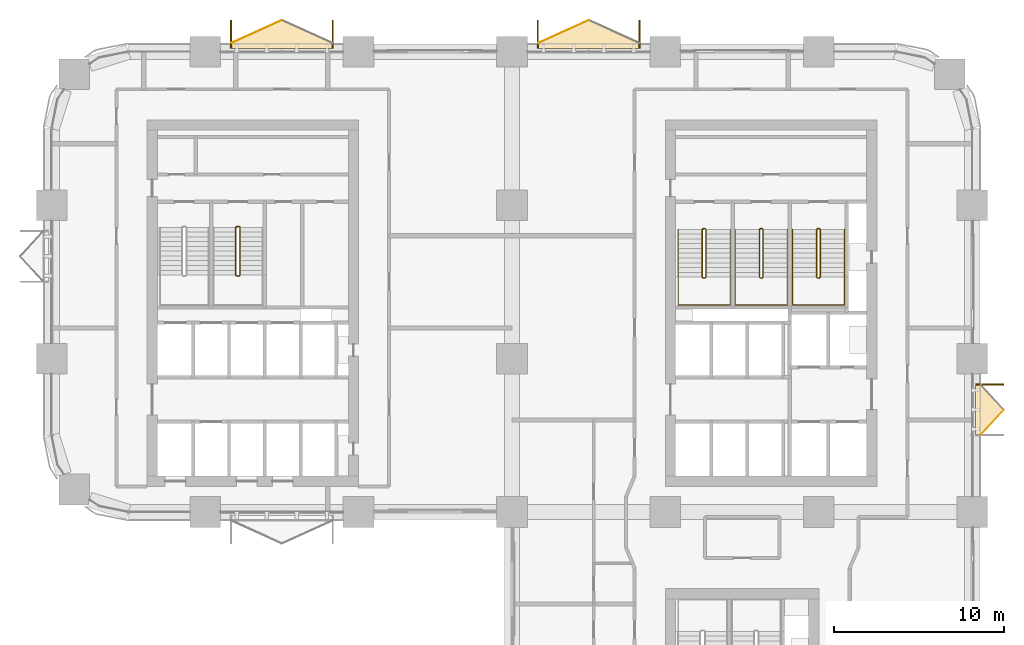
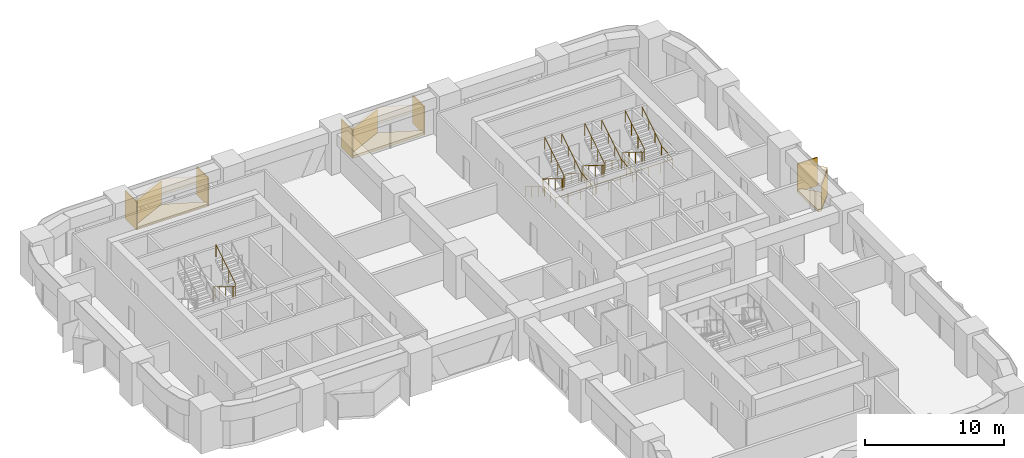
# One storey, part 18 of 18: 14 coverings, 7 railings.
"""IFC4 building model written with IfcOpenShell, lengths in metres."""

import ifcopenshell
import ifcopenshell.guid

model = None  # the IFC model being written
_history = None  # IfcOwnerHistory: only IFC2X3 demands one
_inside = {}  # id of a spatial element -> (the spatial element, [elements in it])
_under = {}  # id of a project, library or spatial element -> (it, [spatial elements below it])
_declared = {}  # id of a project -> (the project, [libraries it declares])
_typed = {}  # id of a type object -> (the type object, [elements of that type])
_made_of = {}  # id of a material, layer set ... -> (it, [elements and type objects made of it])


def new_model(schema):
    """Start an empty IFC model of exactly this schema.

    Asked for "IFC4X3", IfcOpenShell would pick the latest addendum, in which some entities
    have other attributes; the version numbers below select the first issue.
    IFC2X3 requires an IfcOwnerHistory on every rooted entity: one is made here for all.
    """
    global model, _history
    if schema == "IFC4X3":
        model = ifcopenshell.file(schema_version=(4, 3, 0, 0))
    else:
        model = ifcopenshell.file(schema=schema)
    _inside.clear()
    _under.clear()
    _declared.clear()
    _typed.clear()
    _made_of.clear()
    _history = None
    if model.schema == "IFC2X3":
        org = make("IfcOrganization", Name="unknown")
        user = make(
            "IfcPersonAndOrganization",
            ThePerson=make("IfcPerson", FamilyName="unknown"),
            TheOrganization=org,
        )
        app = make(
            "IfcApplication",
            ApplicationDeveloper=org,
            Version="unknown",
            ApplicationFullName="unknown",
            ApplicationIdentifier="unknown",
        )
        _history = make(
            "IfcOwnerHistory",
            OwningUser=user,
            OwningApplication=app,
            ChangeAction="ADDED",
            CreationDate=0,
        )
    return model


def make(cls, **values):
    """One entity of the class cls with the attributes given. An attribute that is None is left unset."""
    return model.create_entity(
        cls, **{name: value for name, value in values.items() if value is not None}
    )


def rooted(cls, **values):
    """An entity with a GlobalId (a new one), such as an element, a storey or a relation."""
    return make(cls, GlobalId=ifcopenshell.guid.new(), OwnerHistory=_history, **values)


def si_unit(unit_type, name, prefix=None):
    """IfcSIUnit, for example si_unit("LENGTHUNIT", "METRE", prefix="MILLI")."""
    return make("IfcSIUnit", UnitType=unit_type, Prefix=prefix, Name=name)


def assignment(units):
    """IfcUnitAssignment: the units of a project."""
    return None if units is None else make("IfcUnitAssignment", Units=units)


def point(xyz):
    """IfcCartesianPoint."""
    return None if xyz is None else make("IfcCartesianPoint", Coordinates=xyz)


def direction(xyz):
    """IfcDirection."""
    return None if xyz is None else make("IfcDirection", DirectionRatios=xyz)


def frame(location, z_axis=None, x_axis=None):
    """IfcAxis2Placement3D, a coordinate frame: its origin and axes. An axis left out is left unset."""
    return make(
        "IfcAxis2Placement3D",
        Location=point(location),
        Axis=direction(z_axis),
        RefDirection=direction(x_axis),
    )


def frame_2d(location, x_axis=None):
    """IfcAxis2Placement2D, a coordinate frame in the plane: its origin and x axis."""
    return make(
        "IfcAxis2Placement2D", Location=point(location), RefDirection=direction(x_axis)
    )


def origin():
    """The frame at (0, 0, 0) with its axes left unset."""
    return frame((0.0, 0.0, 0.0))


def origin_2d():
    """The frame at (0, 0) in the plane with its x axis left unset."""
    return frame_2d((0.0, 0.0))


def place(relative_to, where):
    """IfcLocalPlacement: puts the frame where relative to a parent placement (None: the world)."""
    return make(
        "IfcLocalPlacement", PlacementRelTo=relative_to, RelativePlacement=where
    )


def context(
    kind, dimensions, precision=None, world=None, true_north=None, identifier=None
):
    """IfcGeometricRepresentationContext, for example the 3D "Model" context."""
    return make(
        "IfcGeometricRepresentationContext",
        ContextIdentifier=identifier,
        ContextType=kind,
        CoordinateSpaceDimension=dimensions,
        Precision=precision,
        WorldCoordinateSystem=world,
        TrueNorth=true_north,
    )


def subcontext(parent, identifier, kind, view, scale=None):
    """IfcGeometricRepresentationSubContext, for example "Body" below "Model"."""
    return make(
        "IfcGeometricRepresentationSubContext",
        ContextIdentifier=identifier,
        ContextType=kind,
        ParentContext=parent,
        TargetScale=scale,
        TargetView=view,
    )


def project(units=None, contexts=None):
    """IfcProject with its units and contexts."""
    return rooted(
        "IfcProject",
        Name="project",
        RepresentationContexts=contexts,
        UnitsInContext=assignment(units),
    )


def spatial(cls, under=None, at=None, **own):
    """A site, building, storey or space (cls), placed at a placement, below another one or the project."""
    s = rooted(cls, ObjectPlacement=at, **own)
    if under is not None:
        _under.setdefault(under.id(), (under, []))[1].append(s)
    return s


def polyline(points):
    """IfcPolyline through the points."""
    return make("IfcPolyline", Points=[point(p) for p in points])


def profile(cls, at=None, kind="AREA", **sizes):
    """A parametric profile (cls). Its sizes go by their IFC names, for example OverallWidth=200.0."""
    return make(cls, ProfileType=kind, Position=at, **sizes)


def rectangle(**sizes):
    """IfcRectangleProfileDef."""
    return profile("IfcRectangleProfileDef", **sizes)


def circle(**sizes):
    """IfcCircleProfileDef."""
    return profile("IfcCircleProfileDef", **sizes)


def outline(outer, holes=None, kind="AREA"):
    """IfcArbitraryClosedProfileDef: a profile drawn as a closed curve; with holes, ...WithVoids."""
    if holes is None:
        return make("IfcArbitraryClosedProfileDef", ProfileType=kind, OuterCurve=outer)
    return make(
        "IfcArbitraryProfileDefWithVoids",
        ProfileType=kind,
        OuterCurve=outer,
        InnerCurves=holes,
    )


def extrude(swept, where, along, depth):
    """IfcExtrudedAreaSolid: the profile swept, set in the frame where, extruded along a direction by depth."""
    return make(
        "IfcExtrudedAreaSolid",
        SweptArea=swept,
        Position=where,
        ExtrudedDirection=direction(along),
        Depth=depth,
    )


def shape(context_of_items, identifier, shape_type, items):
    """IfcShapeRepresentation: the items that make up one representation, for example the "Body"."""
    return make(
        "IfcShapeRepresentation",
        ContextOfItems=context_of_items,
        RepresentationIdentifier=identifier,
        RepresentationType=shape_type,
        Items=items,
    )


def material(Name=None, Category=None):
    """IfcMaterial."""
    return make("IfcMaterial", Name=Name, Category=Category)


def layer(
    of_material, thickness, ventilated=None, Name=None, Category=None, Priority=None
):
    """IfcMaterialLayer: one layer of a wall or slab, of a material (None: an air gap)."""
    return make(
        "IfcMaterialLayer",
        Material=of_material,
        LayerThickness=thickness,
        IsVentilated=ventilated,
        Name=Name,
        Category=Category,
        Priority=Priority,
    )


def layer_set(layers, Name=None):
    """IfcMaterialLayerSet."""
    return make("IfcMaterialLayerSet", MaterialLayers=layers, LayerSetName=Name)


def made_of(thing, what):
    """Note that an element or type object is made of a material, layer set ...; save() writes the relation."""
    if what is not None:
        _made_of.setdefault(what.id(), (what, []))[1].append(thing)
    return thing


def type_object(cls, material=None, **own):
    """A type object (cls), such as IfcWallType, which elements share."""
    return made_of(rooted(cls, **own), material)


def element(
    cls,
    number,
    at=None,
    inside=None,
    cuts=None,
    type_object=None,
    material=None,
    context=None,
    identifier="Body",
    shape_type=None,
    held_by="IfcProductDefinitionShape",
    body=None,
    shapes=None,
    **own,
):
    """One element of the class cls, such as IfcWall. Its Tag is "e" and its number.

    at: its placement. inside: the storey or other place that contains it. cuts: it is an
    opening in that element (IfcRelVoidsElement). A single representation is given by context,
    identifier, shape_type and body (its items); several are given by shapes. held_by: the class
    of the entity that holds the representations. save() writes the other relations.
    """
    e = rooted(cls, Tag="e%d" % number, ObjectPlacement=at, **own)
    if body is not None:
        shapes = [shape(context, identifier, shape_type, body)]
    if shapes is not None:
        e.Representation = make(held_by, Representations=shapes)
    if inside is not None:
        _inside.setdefault(inside.id(), (inside, []))[1].append(e)
    if cuts is not None:
        rooted(
            "IfcRelVoidsElement", RelatingBuildingElement=cuts, RelatedOpeningElement=e
        )
    if type_object is not None:
        _typed.setdefault(type_object.id(), (type_object, []))[1].append(e)
    return made_of(e, material)


def aggregate(whole, parts):
    """IfcRelAggregates: a whole, such as a stair, and the parts it consists of."""
    return rooted("IfcRelAggregates", RelatingObject=whole, RelatedObjects=parts)


def save(model, path):
    """Write the relations noted so far, then the file.

    IfcRelAggregates (storeys below a building ...), IfcRelContainedInSpatialStructure (elements
    in a storey), IfcRelDefinesByType, IfcRelAssociatesMaterial and IfcRelDeclares: one each for
    every whole, place, type object, material and project.
    """
    for whole, parts in _under.values():
        aggregate(whole, parts)
    for where, things in _inside.values():
        rooted(
            "IfcRelContainedInSpatialStructure",
            RelatedElements=things,
            RelatingStructure=where,
        )
    for kind, things in _typed.values():
        rooted("IfcRelDefinesByType", RelatedObjects=things, RelatingType=kind)
    for what, things in _made_of.values():
        rooted("IfcRelAssociatesMaterial", RelatedObjects=things, RelatingMaterial=what)
    for by, libraries in _declared.values():
        rooted("IfcRelDeclares", RelatingContext=by, RelatedDefinitions=libraries)
    model.write(path)


model = new_model("IFC4")

# Units and contexts
model_context = context("Model", 3, precision=1e-05, world=origin(), true_north=direction((0.0, 1.0)))
body_context = subcontext(model_context, "Body", "Model", "MODEL_VIEW")
ifc_project = project(units=[si_unit("LENGTHUNIT", "METRE"), si_unit("AREAUNIT", "SQUARE_METRE"), si_unit("VOLUMEUNIT", "CUBIC_METRE"), si_unit("PLANEANGLEUNIT", "RADIAN"), si_unit("MASSUNIT", "GRAM", prefix="KILO")], contexts=[model_context])

# Site, building, storey
site_placement = place(None, origin())
site = spatial("IfcSite", under=ifc_project, at=site_placement, CompositionType="ELEMENT")
building_placement = place(site_placement, origin())
building = spatial("IfcBuilding", under=site, at=building_placement, Name="Tessera Arch", CompositionType="ELEMENT")
storey_placement = place(building_placement, frame((0.0, 0.0, 89.199951171875)))
storey = spatial("IfcBuildingStorey", under=building, at=storey_placement, Name="L20", CompositionType="ELEMENT", Elevation=89.199951171875)

# Railings
ifc_material_1 = material(Name="Painted steel balustrade", Category="steel")
railing_type_1 = type_object("IfcRailingType", Name="Stair guard 1100", PredefinedType="GUARDRAIL", material=ifc_material_1)
railing_1_placement = place(storey_placement, frame((38.219970703125, 43.6298828125, 0.0)))
element("IfcRailing", 1, at=railing_1_placement, inside=storey, type_object=railing_type_1, Name="L20 S1a stair guard 1", PredefinedType="GUARDRAIL", context=body_context, shape_type="SweptSolid", body=[
    extrude(circle(Radius=0.02392578125, at=origin_2d()), frame((-0.00390625, 0.0, 1.076171875), z_axis=(1.0, 0.0, 0.0), x_axis=(0.0, 1.0, 0.0)), (0.0, 0.0, 1.0), 0.1181640625),
    extrude(circle(Radius=0.02392578125, at=origin_2d()), frame((0.11279296875, 0.000732421875, 1.0732421875), z_axis=(-0.664965661675, -0.206788102106, 0.717676354369), x_axis=(0.296948579431, -0.954893471113, 0.0)), (0.0, 0.0, 1.0), 0.248779296875),
    extrude(circle(Radius=0.02392578125, at=origin_2d()), frame((-0.050048828125, -0.04638671875, 1.246826171875), z_axis=(0.0, -0.851089632645, 0.525020415988), x_axis=(1.0, 0.0, 0.0)), (0.0, 0.0, 1.0), 3.2978515625),
    extrude(circle(Radius=0.02392578125, at=origin_2d()), frame((-0.052978515625, -2.846923828125, 2.97607421875), z_axis=(0.707106781187, -0.707106781187, 0.0), x_axis=(0.707106781187, 0.707106781187, 0.0)), (0.0, 0.0, 1.0), 0.078857421875),
    extrude(circle(Radius=0.02392578125, at=origin_2d()), frame((-0.00390625, -2.89990234375, 2.97607421875), z_axis=(1.0, 0.0, 0.0), x_axis=(0.0, 1.0, 0.0)), (0.0, 0.0, 1.0), 0.1181640625),
    extrude(circle(Radius=0.02392578125, at=origin_2d()), frame((0.109130859375, -2.90087890625, 2.972412109375), z_axis=(0.267062837333, 0.268371968888, 0.925556009775), x_axis=(-0.708833529934, 0.705375805398, 0.0)), (0.0, 0.0, 1.0), 0.194580078125),
    extrude(circle(Radius=0.02392578125, at=origin_2d()), frame((0.159912109375, -2.853271484375, 3.146728515625), z_axis=(0.0, 0.851089632645, 0.525020415988), x_axis=(-1.0, 0.0, 0.0)), (0.0, 0.0, 1.0), 3.2978515625),
    extrude(circle(Radius=0.02099609375, at=origin_2d()), origin(), (0.0, 0.0, 1.0), 1.06396484375),
    extrude(circle(Radius=0.02099609375, at=origin_2d()), frame((0.110107421875, 0.0, 0.0)), (0.0, 0.0, 1.0), 1.06396484375),
    extrude(circle(Radius=0.02099609375, at=origin_2d()), frame((-0.050048828125, -0.0498046875, 0.1728515625)), (0.0, 0.0, 1.0), 1.06396484375),
    extrude(circle(Radius=0.02099609375, at=origin_2d()), frame((-0.050048828125, -0.983154296875, 0.74853515625)), (0.0, 0.0, 1.0), 1.06396484375),
    extrude(circle(Radius=0.02099609375, at=origin_2d()), frame((-0.050048828125, -1.91650390625, 1.324462890625)), (0.0, 0.0, 1.0), 1.06396484375),
    extrude(circle(Radius=0.02099609375, at=origin_2d()), frame((-0.050048828125, -2.849853515625, 1.900146484375)), (0.0, 0.0, 1.0), 1.06396484375),
    extrude(circle(Radius=0.02099609375, at=origin_2d()), frame((0.0, -2.89990234375, 1.900146484375)), (0.0, 0.0, 1.0), 1.06396484375),
    extrude(circle(Radius=0.02099609375, at=origin_2d()), frame((0.110107421875, -2.89990234375, 1.900146484375)), (0.0, 0.0, 1.0), 1.06396484375),
    extrude(circle(Radius=0.02099609375, at=origin_2d()), frame((0.159912109375, -2.849853515625, 2.07275390625)), (0.0, 0.0, 1.0), 1.06396484375),
    extrude(circle(Radius=0.02099609375, at=origin_2d()), frame((0.159912109375, -1.91650390625, 2.6484375)), (0.0, 0.0, 1.0), 1.06396484375),
    extrude(circle(Radius=0.02099609375, at=origin_2d()), frame((0.159912109375, -0.983154296875, 3.224365234375)), (0.0, 0.0, 1.0), 1.06396484375),
    extrude(circle(Radius=0.02099609375, at=origin_2d()), frame((0.159912109375, -0.0498046875, 3.800048828125)), (0.0, 0.0, 1.0), 1.06396484375),
])
railing_2_placement = place(storey_placement, frame((41.570068359375, 43.6298828125, 0.0)))
element("IfcRailing", 2, at=railing_2_placement, inside=storey, type_object=railing_type_1, Name="L20 S1b stair guard 1", PredefinedType="GUARDRAIL", context=body_context, shape_type="SweptSolid", body=[
    extrude(circle(Radius=0.02392578125, at=origin_2d()), frame((-0.00390625, 0.0, 1.076171875), z_axis=(1.0, 0.0, 0.0), x_axis=(0.0, 1.0, 0.0)), (0.0, 0.0, 1.0), 0.117919921875),
    extrude(circle(Radius=0.02392578125, at=origin_2d()), frame((0.112548828125, 0.000732421875, 1.0732421875), z_axis=(-0.664399645116, -0.206927523059, 0.718160227087), x_axis=(0.297361876254, -0.954764847777, 0.0)), (0.0, 0.0, 1.0), 0.248779296875),
    extrude(circle(Radius=0.02392578125, at=origin_2d()), frame((-0.050048828125, -0.04638671875, 1.246826171875), z_axis=(0.0, -0.851089632645, 0.525020415988), x_axis=(1.0, 0.0, 0.0)), (0.0, 0.0, 1.0), 3.2978515625),
    extrude(circle(Radius=0.02392578125, at=origin_2d()), frame((-0.052978515625, -2.846923828125, 2.97607421875), z_axis=(0.707106781187, -0.707106781187, 0.0), x_axis=(0.707106781187, 0.707106781187, 0.0)), (0.0, 0.0, 1.0), 0.078857421875),
    extrude(circle(Radius=0.02392578125, at=origin_2d()), frame((-0.00390625, -2.89990234375, 2.97607421875), z_axis=(1.0, 0.0, 0.0), x_axis=(0.0, 1.0, 0.0)), (0.0, 0.0, 1.0), 0.117919921875),
    extrude(circle(Radius=0.02392578125, at=origin_2d()), frame((0.10888671875, -2.90087890625, 2.972412109375), z_axis=(0.268277960024, 0.268277960024, 0.925231793839), x_axis=(-0.707106781187, 0.707106781187, 0.0)), (0.0, 0.0, 1.0), 0.194580078125),
    extrude(circle(Radius=0.02392578125, at=origin_2d()), frame((0.159912109375, -2.853271484375, 3.146728515625), z_axis=(0.0, 0.851089632645, 0.525020415988), x_axis=(-1.0, 0.0, 0.0)), (0.0, 0.0, 1.0), 3.2978515625),
    extrude(circle(Radius=0.02099609375, at=origin_2d()), origin(), (0.0, 0.0, 1.0), 1.06396484375),
    extrude(circle(Radius=0.02099609375, at=origin_2d()), frame((0.10986328125, 0.0, 0.0)), (0.0, 0.0, 1.0), 1.06396484375),
    extrude(circle(Radius=0.02099609375, at=origin_2d()), frame((-0.050048828125, -0.0498046875, 0.1728515625)), (0.0, 0.0, 1.0), 1.06396484375),
    extrude(circle(Radius=0.02099609375, at=origin_2d()), frame((-0.050048828125, -0.983154296875, 0.74853515625)), (0.0, 0.0, 1.0), 1.06396484375),
    extrude(circle(Radius=0.02099609375, at=origin_2d()), frame((-0.050048828125, -1.91650390625, 1.324462890625)), (0.0, 0.0, 1.0), 1.06396484375),
    extrude(circle(Radius=0.02099609375, at=origin_2d()), frame((-0.050048828125, -2.849853515625, 1.900146484375)), (0.0, 0.0, 1.0), 1.06396484375),
    extrude(circle(Radius=0.02099609375, at=origin_2d()), frame((0.0, -2.89990234375, 1.900146484375)), (0.0, 0.0, 1.0), 1.06396484375),
    extrude(circle(Radius=0.02099609375, at=origin_2d()), frame((0.10986328125, -2.89990234375, 1.900146484375)), (0.0, 0.0, 1.0), 1.06396484375),
    extrude(circle(Radius=0.02099609375, at=origin_2d()), frame((0.159912109375, -2.849853515625, 2.07275390625)), (0.0, 0.0, 1.0), 1.06396484375),
    extrude(circle(Radius=0.02099609375, at=origin_2d()), frame((0.159912109375, -1.91650390625, 2.6484375)), (0.0, 0.0, 1.0), 1.06396484375),
    extrude(circle(Radius=0.02099609375, at=origin_2d()), frame((0.159912109375, -0.983154296875, 3.224365234375)), (0.0, 0.0, 1.0), 1.06396484375),
    extrude(circle(Radius=0.02099609375, at=origin_2d()), frame((0.159912109375, -0.0498046875, 3.800048828125)), (0.0, 0.0, 1.0), 1.06396484375),
])
railing_3_placement = place(storey_placement, frame((44.919921875, 43.6298828125, 0.0)))
element("IfcRailing", 3, at=railing_3_placement, inside=storey, type_object=railing_type_1, Name="L20 S1c stair guard 1", PredefinedType="GUARDRAIL", context=body_context, shape_type="SweptSolid", body=[
    extrude(circle(Radius=0.02392578125, at=origin_2d()), frame((-0.00390625, 0.0, 1.076171875), z_axis=(1.0, 0.0, 0.0), x_axis=(0.0, 1.0, 0.0)), (0.0, 0.0, 1.0), 0.1181640625),
    extrude(circle(Radius=0.02392578125, at=origin_2d()), frame((0.11279296875, 0.000732421875, 1.0732421875), z_axis=(-0.664399645116, -0.206927523059, 0.718160227087), x_axis=(0.297361876254, -0.954764847777, 0.0)), (0.0, 0.0, 1.0), 0.248779296875),
    extrude(circle(Radius=0.02392578125, at=origin_2d()), frame((-0.0498046875, -0.04638671875, 1.246826171875), z_axis=(0.0, -0.851089632645, 0.525020415988), x_axis=(1.0, 0.0, 0.0)), (0.0, 0.0, 1.0), 3.2978515625),
    extrude(circle(Radius=0.02392578125, at=origin_2d()), frame((-0.052734375, -2.846923828125, 2.97607421875), z_axis=(0.705375805398, -0.708833529934, 0.0), x_axis=(0.708833529934, 0.705375805398, 0.0)), (0.0, 0.0, 1.0), 0.07861328125),
    extrude(circle(Radius=0.02392578125, at=origin_2d()), frame((-0.00390625, -2.89990234375, 2.97607421875), z_axis=(1.0, 0.0, 0.0), x_axis=(0.0, 1.0, 0.0)), (0.0, 0.0, 1.0), 0.1181640625),
    extrude(circle(Radius=0.02392578125, at=origin_2d()), frame((0.109130859375, -2.90087890625, 2.972412109375), z_axis=(0.268277960024, 0.268277960024, 0.925231793839), x_axis=(-0.707106781187, 0.707106781187, 0.0)), (0.0, 0.0, 1.0), 0.194580078125),
    extrude(circle(Radius=0.02392578125, at=origin_2d()), frame((0.16015625, -2.853271484375, 3.146728515625), z_axis=(0.0, 0.851089632645, 0.525020415988), x_axis=(-1.0, 0.0, 0.0)), (0.0, 0.0, 1.0), 3.2978515625),
    extrude(circle(Radius=0.02099609375, at=origin_2d()), origin(), (0.0, 0.0, 1.0), 1.06396484375),
    extrude(circle(Radius=0.02099609375, at=origin_2d()), frame((0.110107421875, 0.0, 0.0)), (0.0, 0.0, 1.0), 1.06396484375),
    extrude(circle(Radius=0.02099609375, at=origin_2d()), frame((-0.0498046875, -0.0498046875, 0.1728515625)), (0.0, 0.0, 1.0), 1.06396484375),
    extrude(circle(Radius=0.02099609375, at=origin_2d()), frame((-0.0498046875, -0.983154296875, 0.74853515625)), (0.0, 0.0, 1.0), 1.06396484375),
    extrude(circle(Radius=0.02099609375, at=origin_2d()), frame((-0.0498046875, -1.91650390625, 1.324462890625)), (0.0, 0.0, 1.0), 1.06396484375),
    extrude(circle(Radius=0.02099609375, at=origin_2d()), frame((-0.0498046875, -2.849853515625, 1.900146484375)), (0.0, 0.0, 1.0), 1.06396484375),
    extrude(circle(Radius=0.02099609375, at=origin_2d()), frame((0.0, -2.89990234375, 1.900146484375)), (0.0, 0.0, 1.0), 1.06396484375),
    extrude(circle(Radius=0.02099609375, at=origin_2d()), frame((0.110107421875, -2.89990234375, 1.900146484375)), (0.0, 0.0, 1.0), 1.06396484375),
    extrude(circle(Radius=0.02099609375, at=origin_2d()), frame((0.16015625, -2.849853515625, 2.07275390625)), (0.0, 0.0, 1.0), 1.06396484375),
    extrude(circle(Radius=0.02099609375, at=origin_2d()), frame((0.16015625, -1.91650390625, 2.6484375)), (0.0, 0.0, 1.0), 1.06396484375),
    extrude(circle(Radius=0.02099609375, at=origin_2d()), frame((0.16015625, -0.983154296875, 3.224365234375)), (0.0, 0.0, 1.0), 1.06396484375),
    extrude(circle(Radius=0.02099609375, at=origin_2d()), frame((0.16015625, -0.0498046875, 3.800048828125)), (0.0, 0.0, 1.0), 1.06396484375),
])
railing_4_placement = place(storey_placement, frame((10.85009765625, 43.75, 0.0)))
element("IfcRailing", 4, at=railing_4_placement, inside=storey, type_object=railing_type_1, Name="L20 S2b stair guard 1", PredefinedType="GUARDRAIL", context=body_context, shape_type="SweptSolid", body=[
    extrude(circle(Radius=0.02392578125, at=origin_2d()), frame((-0.00390625, 0.0, 1.076171875), z_axis=(1.0, 0.0, 0.0), x_axis=(0.0, 1.0, 0.0)), (0.0, 0.0, 1.0), 0.157958984375),
    extrude(circle(Radius=0.02392578125, at=origin_2d()), frame((0.15283203125, 0.000732421875, 1.073486328125), z_axis=(-0.743302536996, -0.186052527575, 0.642561900114), x_axis=(0.242814311512, -0.970072785993, 0.0)), (0.0, 0.0, 1.0), 0.277099609375),
    extrude(circle(Radius=0.02392578125, at=origin_2d()), frame((-0.050048828125, -0.046630859375, 1.246826171875), z_axis=(0.0, -0.851089632645, 0.525020415988), x_axis=(1.0, 0.0, 0.0)), (0.0, 0.0, 1.0), 3.2978515625),
    extrude(circle(Radius=0.02392578125, at=origin_2d()), frame((-0.052978515625, -2.84716796875, 2.97607421875), z_axis=(0.708833529934, -0.705375805398, 0.0), x_axis=(0.705375805398, 0.708833529934, 0.0)), (0.0, 0.0, 1.0), 0.07861328125),
    extrude(circle(Radius=0.02392578125, at=origin_2d()), frame((-0.00390625, -2.89990234375, 2.97607421875), z_axis=(1.0, 0.0, 0.0), x_axis=(0.0, 1.0, 0.0)), (0.0, 0.0, 1.0), 0.157958984375),
    extrude(circle(Radius=0.02392578125, at=origin_2d()), frame((0.14892578125, -2.90087890625, 2.972412109375), z_axis=(0.268371968888, 0.267062837333, 0.925556009775), x_axis=(-0.705375805398, 0.708833529934, 0.0)), (0.0, 0.0, 1.0), 0.194580078125),
    extrude(circle(Radius=0.02392578125, at=origin_2d()), frame((0.199951171875, -2.853515625, 3.146728515625), z_axis=(0.0, 0.851089632645, 0.525020415988), x_axis=(-1.0, 0.0, 0.0)), (0.0, 0.0, 1.0), 3.2978515625),
    extrude(circle(Radius=0.02099609375, at=origin_2d()), origin(), (0.0, 0.0, 1.0), 1.06396484375),
    extrude(circle(Radius=0.02099609375, at=origin_2d()), frame((0.14990234375, 0.0, 0.0)), (0.0, 0.0, 1.0), 1.06396484375),
    extrude(circle(Radius=0.02099609375, at=origin_2d()), frame((-0.050048828125, -0.050048828125, 0.1728515625)), (0.0, 0.0, 1.0), 1.06396484375),
    extrude(circle(Radius=0.02099609375, at=origin_2d()), frame((-0.050048828125, -0.9833984375, 0.74853515625)), (0.0, 0.0, 1.0), 1.06396484375),
    extrude(circle(Radius=0.02099609375, at=origin_2d()), frame((-0.050048828125, -1.916748046875, 1.324462890625)), (0.0, 0.0, 1.0), 1.06396484375),
    extrude(circle(Radius=0.02099609375, at=origin_2d()), frame((-0.050048828125, -2.85009765625, 1.900146484375)), (0.0, 0.0, 1.0), 1.06396484375),
    extrude(circle(Radius=0.02099609375, at=origin_2d()), frame((0.0, -2.89990234375, 1.900146484375)), (0.0, 0.0, 1.0), 1.06396484375),
    extrude(circle(Radius=0.02099609375, at=origin_2d()), frame((0.14990234375, -2.89990234375, 1.900146484375)), (0.0, 0.0, 1.0), 1.06396484375),
    extrude(circle(Radius=0.02099609375, at=origin_2d()), frame((0.199951171875, -2.85009765625, 2.07275390625)), (0.0, 0.0, 1.0), 1.06396484375),
    extrude(circle(Radius=0.02099609375, at=origin_2d()), frame((0.199951171875, -1.916748046875, 2.6484375)), (0.0, 0.0, 1.0), 1.06396484375),
    extrude(circle(Radius=0.02099609375, at=origin_2d()), frame((0.199951171875, -0.9833984375, 3.224365234375)), (0.0, 0.0, 1.0), 1.06396484375),
    extrude(circle(Radius=0.02099609375, at=origin_2d()), frame((0.199951171875, -0.050048828125, 3.800048828125)), (0.0, 0.0, 1.0), 1.06396484375),
])
ifc_material_2 = material(Name="Painted steel handrail", Category="steel")
railing_type_2 = type_object("IfcRailingType", Name="Stair handrail 900", PredefinedType="HANDRAIL", material=ifc_material_2)
railing_5_placement = place(storey_placement, frame((36.75, 43.580078125, 0.1728515625)))
element("IfcRailing", 5, at=railing_5_placement, inside=storey, type_object=railing_type_2, Name="L20 S1a stair handrail", PredefinedType="HANDRAIL", context=body_context, shape_type="SweptSolid", body=[
    extrude(circle(Radius=0.02392578125, at=origin_2d()), frame((0.0, 0.00341796875, 0.873779296875), z_axis=(0.0, -0.851089632645, 0.525020415988), x_axis=(1.0, 0.0, 0.0)), (0.0, 0.0, 1.0), 3.2978515625),
    extrude(circle(Radius=0.02392578125, at=origin_2d()), frame((0.0, -2.796142578125, 2.60302734375), z_axis=(0.0, -1.0, 0.0), x_axis=(1.0, 0.0, 0.0)), (0.0, 0.0, 1.0), 1.63818359375),
    extrude(circle(Radius=0.02392578125, at=origin_2d()), frame((-0.00390625, -4.43017578125, 2.60302734375), z_axis=(1.0, 0.0, 0.0), x_axis=(0.0, 1.0, 0.0)), (0.0, 0.0, 1.0), 3.05810546875),
    extrude(circle(Radius=0.02392578125, at=origin_2d()), frame((3.050048828125, -4.43408203125, 2.602783203125), z_axis=(0.0, 0.994440793715, 0.105297235459), x_axis=(-1.0, 0.0, 0.0)), (0.0, 0.0, 1.0), 1.647216796875),
    extrude(circle(Radius=0.02392578125, at=origin_2d()), frame((3.050048828125, -2.803466796875, 2.773681640625), z_axis=(0.0, 0.851089632645, 0.525020415988), x_axis=(-1.0, 0.0, 0.0)), (0.0, 0.0, 1.0), 3.2978515625),
    extrude(circle(Radius=0.02099609375, at=origin_2d()), origin(), (0.0, 0.0, 1.0), 0.86376953125),
    extrude(circle(Radius=0.02099609375, at=origin_2d()), frame((0.0, -0.933349609375, 0.57568359375)), (0.0, 0.0, 1.0), 0.86376953125),
    extrude(circle(Radius=0.02099609375, at=origin_2d()), frame((0.0, -1.86669921875, 1.151611328125)), (0.0, 0.0, 1.0), 0.86376953125),
    extrude(circle(Radius=0.02099609375, at=origin_2d()), frame((0.0, -2.800048828125, 1.727294921875)), (0.0, 0.0, 1.0), 0.86376953125),
    extrude(circle(Radius=0.02099609375, at=origin_2d()), frame((0.0, -3.615234375, 1.727294921875)), (0.0, 0.0, 1.0), 0.86376953125),
    extrude(circle(Radius=0.02099609375, at=origin_2d()), frame((0.0, -4.43017578125, 1.727294921875)), (0.0, 0.0, 1.0), 0.86376953125),
    extrude(circle(Radius=0.02099609375, at=origin_2d()), frame((1.0166015625, -4.43017578125, 1.727294921875)), (0.0, 0.0, 1.0), 0.86376953125),
    extrude(circle(Radius=0.02099609375, at=origin_2d()), frame((2.033447265625, -4.43017578125, 1.727294921875)), (0.0, 0.0, 1.0), 0.86376953125),
    extrude(circle(Radius=0.02099609375, at=origin_2d()), frame((3.050048828125, -4.43017578125, 1.727294921875)), (0.0, 0.0, 1.0), 0.86376953125),
    extrude(circle(Radius=0.02099609375, at=origin_2d()), frame((3.050048828125, -3.615234375, 1.8134765625)), (0.0, 0.0, 1.0), 0.86376953125),
    extrude(circle(Radius=0.02099609375, at=origin_2d()), frame((3.050048828125, -2.800048828125, 1.89990234375)), (0.0, 0.0, 1.0), 0.86376953125),
    extrude(circle(Radius=0.02099609375, at=origin_2d()), frame((3.050048828125, -1.86669921875, 2.4755859375)), (0.0, 0.0, 1.0), 0.86376953125),
    extrude(circle(Radius=0.02099609375, at=origin_2d()), frame((3.050048828125, -0.933349609375, 3.051513671875)), (0.0, 0.0, 1.0), 0.86376953125),
    extrude(circle(Radius=0.02099609375, at=origin_2d()), frame((3.050048828125, 0.0, 3.627197265625)), (0.0, 0.0, 1.0), 0.86376953125),
])
railing_6_placement = place(storey_placement, frame((40.10009765625, 43.580078125, 0.1728515625)))
element("IfcRailing", 6, at=railing_6_placement, inside=storey, type_object=railing_type_2, Name="L20 S1b stair handrail", PredefinedType="HANDRAIL", context=body_context, shape_type="SweptSolid", body=[
    extrude(circle(Radius=0.02392578125, at=origin_2d()), frame((0.0, 0.00341796875, 0.873779296875), z_axis=(0.0, -0.851089632645, 0.525020415988), x_axis=(1.0, 0.0, 0.0)), (0.0, 0.0, 1.0), 3.2978515625),
    extrude(circle(Radius=0.02392578125, at=origin_2d()), frame((0.0, -2.796142578125, 2.60302734375), z_axis=(0.0, -1.0, 0.0), x_axis=(1.0, 0.0, 0.0)), (0.0, 0.0, 1.0), 1.63818359375),
    extrude(circle(Radius=0.02392578125, at=origin_2d()), frame((-0.00390625, -4.43017578125, 2.60302734375), z_axis=(1.0, 0.0, 0.0), x_axis=(0.0, 1.0, 0.0)), (0.0, 0.0, 1.0), 3.057861328125),
    extrude(circle(Radius=0.02392578125, at=origin_2d()), frame((3.0498046875, -4.43408203125, 2.602783203125), z_axis=(0.0, 0.994440793715, 0.105297235459), x_axis=(-1.0, 0.0, 0.0)), (0.0, 0.0, 1.0), 1.647216796875),
    extrude(circle(Radius=0.02392578125, at=origin_2d()), frame((3.0498046875, -2.803466796875, 2.773681640625), z_axis=(0.0, 0.851089632645, 0.525020415988), x_axis=(-1.0, 0.0, 0.0)), (0.0, 0.0, 1.0), 3.2978515625),
    extrude(circle(Radius=0.02099609375, at=origin_2d()), origin(), (0.0, 0.0, 1.0), 0.86376953125),
    extrude(circle(Radius=0.02099609375, at=origin_2d()), frame((0.0, -0.933349609375, 0.57568359375)), (0.0, 0.0, 1.0), 0.86376953125),
    extrude(circle(Radius=0.02099609375, at=origin_2d()), frame((0.0, -1.86669921875, 1.151611328125)), (0.0, 0.0, 1.0), 0.86376953125),
    extrude(circle(Radius=0.02099609375, at=origin_2d()), frame((0.0, -2.800048828125, 1.727294921875)), (0.0, 0.0, 1.0), 0.86376953125),
    extrude(circle(Radius=0.02099609375, at=origin_2d()), frame((0.0, -3.615234375, 1.727294921875)), (0.0, 0.0, 1.0), 0.86376953125),
    extrude(circle(Radius=0.02099609375, at=origin_2d()), frame((0.0, -4.43017578125, 1.727294921875)), (0.0, 0.0, 1.0), 0.86376953125),
    extrude(circle(Radius=0.02099609375, at=origin_2d()), frame((1.0166015625, -4.43017578125, 1.727294921875)), (0.0, 0.0, 1.0), 0.86376953125),
    extrude(circle(Radius=0.02099609375, at=origin_2d()), frame((2.033203125, -4.43017578125, 1.727294921875)), (0.0, 0.0, 1.0), 0.86376953125),
    extrude(circle(Radius=0.02099609375, at=origin_2d()), frame((3.0498046875, -4.43017578125, 1.727294921875)), (0.0, 0.0, 1.0), 0.86376953125),
    extrude(circle(Radius=0.02099609375, at=origin_2d()), frame((3.0498046875, -3.615234375, 1.8134765625)), (0.0, 0.0, 1.0), 0.86376953125),
    extrude(circle(Radius=0.02099609375, at=origin_2d()), frame((3.0498046875, -2.800048828125, 1.89990234375)), (0.0, 0.0, 1.0), 0.86376953125),
    extrude(circle(Radius=0.02099609375, at=origin_2d()), frame((3.0498046875, -1.86669921875, 2.4755859375)), (0.0, 0.0, 1.0), 0.86376953125),
    extrude(circle(Radius=0.02099609375, at=origin_2d()), frame((3.0498046875, -0.933349609375, 3.051513671875)), (0.0, 0.0, 1.0), 0.86376953125),
    extrude(circle(Radius=0.02099609375, at=origin_2d()), frame((3.0498046875, 0.0, 3.627197265625)), (0.0, 0.0, 1.0), 0.86376953125),
])
railing_7_placement = place(storey_placement, frame((43.449951171875, 43.580078125, 0.1728515625)))
element("IfcRailing", 7, at=railing_7_placement, inside=storey, type_object=railing_type_2, Name="L20 S1c stair handrail", PredefinedType="HANDRAIL", context=body_context, shape_type="SweptSolid", body=[
    extrude(circle(Radius=0.02392578125, at=origin_2d()), frame((0.0, 0.00341796875, 0.873779296875), z_axis=(0.0, -0.851089632645, 0.525020415988), x_axis=(1.0, 0.0, 0.0)), (0.0, 0.0, 1.0), 3.2978515625),
    extrude(circle(Radius=0.02392578125, at=origin_2d()), frame((0.0, -2.796142578125, 2.60302734375), z_axis=(0.0, -1.0, 0.0), x_axis=(1.0, 0.0, 0.0)), (0.0, 0.0, 1.0), 1.63818359375),
    extrude(circle(Radius=0.02392578125, at=origin_2d()), frame((-0.00390625, -4.43017578125, 2.60302734375), z_axis=(1.0, 0.0, 0.0), x_axis=(0.0, 1.0, 0.0)), (0.0, 0.0, 1.0), 3.05810546875),
    extrude(circle(Radius=0.02392578125, at=origin_2d()), frame((3.050048828125, -4.43408203125, 2.602783203125), z_axis=(0.0, 0.994440793715, 0.105297235459), x_axis=(-1.0, 0.0, 0.0)), (0.0, 0.0, 1.0), 1.647216796875),
    extrude(circle(Radius=0.02392578125, at=origin_2d()), frame((3.050048828125, -2.803466796875, 2.773681640625), z_axis=(0.0, 0.851089632645, 0.525020415988), x_axis=(-1.0, 0.0, 0.0)), (0.0, 0.0, 1.0), 3.2978515625),
    extrude(circle(Radius=0.02099609375, at=origin_2d()), origin(), (0.0, 0.0, 1.0), 0.86376953125),
    extrude(circle(Radius=0.02099609375, at=origin_2d()), frame((0.0, -0.933349609375, 0.57568359375)), (0.0, 0.0, 1.0), 0.86376953125),
    extrude(circle(Radius=0.02099609375, at=origin_2d()), frame((0.0, -1.86669921875, 1.151611328125)), (0.0, 0.0, 1.0), 0.86376953125),
    extrude(circle(Radius=0.02099609375, at=origin_2d()), frame((0.0, -2.800048828125, 1.727294921875)), (0.0, 0.0, 1.0), 0.86376953125),
    extrude(circle(Radius=0.02099609375, at=origin_2d()), frame((0.0, -3.615234375, 1.727294921875)), (0.0, 0.0, 1.0), 0.86376953125),
    extrude(circle(Radius=0.02099609375, at=origin_2d()), frame((0.0, -4.43017578125, 1.727294921875)), (0.0, 0.0, 1.0), 0.86376953125),
    extrude(circle(Radius=0.02099609375, at=origin_2d()), frame((1.0166015625, -4.43017578125, 1.727294921875)), (0.0, 0.0, 1.0), 0.86376953125),
    extrude(circle(Radius=0.02099609375, at=origin_2d()), frame((2.033447265625, -4.43017578125, 1.727294921875)), (0.0, 0.0, 1.0), 0.86376953125),
    extrude(circle(Radius=0.02099609375, at=origin_2d()), frame((3.050048828125, -4.43017578125, 1.727294921875)), (0.0, 0.0, 1.0), 0.86376953125),
    extrude(circle(Radius=0.02099609375, at=origin_2d()), frame((3.050048828125, -3.615234375, 1.8134765625)), (0.0, 0.0, 1.0), 0.86376953125),
    extrude(circle(Radius=0.02099609375, at=origin_2d()), frame((3.050048828125, -2.800048828125, 1.89990234375)), (0.0, 0.0, 1.0), 0.86376953125),
    extrude(circle(Radius=0.02099609375, at=origin_2d()), frame((3.050048828125, -1.86669921875, 2.4755859375)), (0.0, 0.0, 1.0), 0.86376953125),
    extrude(circle(Radius=0.02099609375, at=origin_2d()), frame((3.050048828125, -0.933349609375, 3.051513671875)), (0.0, 0.0, 1.0), 0.86376953125),
    extrude(circle(Radius=0.02099609375, at=origin_2d()), frame((3.050048828125, 0.0, 3.627197265625)), (0.0, 0.0, 1.0), 0.86376953125),
])

# Coverings
ifc_material_3 = material(Name="Anodised aluminium pale metal", Category="aluminium")
ifc_layer_1 = layer(ifc_material_3, 0.080078125)
ifc_layer_set_1 = layer_set([ifc_layer_1], Name="Window box cheek")
covering_type_1 = type_object("IfcCoveringType", Name="Window box cheek", PredefinedType="CLADDING", material=ifc_layer_set_1)
covering_1_placement = place(storey_placement, origin())
element("IfcCovering", 8, at=covering_1_placement, inside=storey, type_object=covering_type_1, Name="Window box E54.0/3.1 1x1 cheek", PredefinedType="CLADDING", context=body_context, shape_type="SweptSolid", body=[
    extrude(outline(polyline([(55.85009765625, 34.449951171875), (55.85009765625, 34.530029296875), (54.199951171875, 34.530029296875), (54.199951171875, 34.449951171875), (55.85009765625, 34.449951171875)])), origin(), (0.0, 0.0, 1.0), 2.5),
])
covering_2_placement = place(storey_placement, origin())
element("IfcCovering", 9, at=covering_2_placement, inside=storey, type_object=covering_type_1, Name="Window box N54.0/1.0 2x1 cheek", PredefinedType="CLADDING", context=body_context, shape_type="SweptSolid", body=[
    extrude(outline(polyline([(34.530029296875, 55.85009765625), (34.449951171875, 55.85009765625), (34.449951171875, 54.199951171875), (34.530029296875, 54.199951171875), (34.530029296875, 55.85009765625)])), origin(), (0.0, 0.0, 1.0), 2.5),
])
covering_3_placement = place(storey_placement, origin())
element("IfcCovering", 10, at=covering_3_placement, inside=storey, type_object=covering_type_1, Name="Window box N54.0/1.0 2x1 cheek", PredefinedType="CLADDING", context=body_context, shape_type="SweptSolid", body=[
    extrude(outline(polyline([(28.550048828125, 55.85009765625), (28.469970703125, 55.85009765625), (28.469970703125, 54.199951171875), (28.550048828125, 54.199951171875), (28.550048828125, 55.85009765625)])), origin(), (0.0, 0.0, 1.0), 2.5),
])
covering_4_placement = place(storey_placement, origin())
element("IfcCovering", 11, at=covering_4_placement, inside=storey, type_object=covering_type_1, Name="Window box N54.0/3.0 2x1 cheek", PredefinedType="CLADDING", context=body_context, shape_type="SweptSolid", body=[
    extrude(outline(polyline([(16.530029296875, 55.85009765625), (16.449951171875, 55.85009765625), (16.449951171875, 54.199951171875), (16.530029296875, 54.199951171875), (16.530029296875, 55.85009765625)])), origin(), (0.0, 0.0, 1.0), 2.5),
])
covering_5_placement = place(storey_placement, origin())
element("IfcCovering", 12, at=covering_5_placement, inside=storey, type_object=covering_type_1, Name="Window box N54.0/3.0 2x1 cheek", PredefinedType="CLADDING", context=body_context, shape_type="SweptSolid", body=[
    extrude(outline(polyline([(10.550048828125, 55.85009765625), (10.469970703125, 55.85009765625), (10.469970703125, 54.199951171875), (10.550048828125, 54.199951171875), (10.550048828125, 55.85009765625)])), origin(), (0.0, 0.0, 1.0), 2.5),
])
ifc_material_4 = material(Name="Anodised aluminium cobalt blue", Category="aluminium")
ifc_layer_2 = layer(ifc_material_4, 0.219970703125)
ifc_layer_set_2 = layer_set([ifc_layer_2], Name="Window box frame plate cobalt")
covering_type_2 = type_object("IfcCoveringType", Name="Window box frame plate cobalt", PredefinedType="CLADDING", material=ifc_layer_set_2)
for number, where, name in (
    (13, (0.0, 0.0, 0.0), "Window box N54.0/1.0 2x1 floor"),
    (14, (0.0, 0.0, 2.280029296875), "Window box N54.0/1.0 2x1 roof"),
):
    element("IfcCovering", number, at=place(storey_placement, frame(where)), inside=storey, type_object=covering_type_2, Name=name, PredefinedType="CLADDING", context=body_context, shape_type="SweptSolid", body=[
        extrude(outline(polyline([(34.449951171875, 54.510009765625), (31.5, 55.85009765625), (28.550048828125, 54.510009765625), (28.550048828125, 54.199951171875), (34.449951171875, 54.199951171875), (34.449951171875, 54.510009765625)])), origin(), (0.0, 0.0, 1.0), 0.219970703125),
    ])
ifc_material_5 = material(Name="Anodised aluminium pale metal", Category="aluminium")
ifc_layer_3 = layer(ifc_material_5, 0.219970703125)
ifc_layer_set_3 = layer_set([ifc_layer_3], Name="Window box frame plate pale metal")
covering_type_3 = type_object("IfcCoveringType", Name="Window box frame plate pale metal", PredefinedType="CLADDING", material=ifc_layer_set_3)
for number, where, name in (
    (15, (0.0, 0.0, 0.0), "Window box E54.0/3.1 1x1 floor"),
    (16, (0.0, 0.0, 2.280029296875), "Window box E54.0/3.1 1x1 roof"),
):
    element("IfcCovering", number, at=place(storey_placement, frame(where)), inside=storey, type_object=covering_type_3, Name=name, PredefinedType="CLADDING", context=body_context, shape_type="SweptSolid", body=[
        extrude(outline(polyline([(54.510009765625, 31.550048828125), (55.85009765625, 33.0), (54.510009765625, 34.449951171875), (54.199951171875, 34.449951171875), (54.199951171875, 31.550048828125), (54.510009765625, 31.550048828125)])), origin(), (0.0, 0.0, 1.0), 0.219970703125),
    ])
for number, where, name in (
    (17, (0.0, 0.0, 0.0), "Window box N54.0/3.0 2x1 floor"),
    (18, (0.0, 0.0, 2.280029296875), "Window box N54.0/3.0 2x1 roof"),
):
    element("IfcCovering", number, at=place(storey_placement, frame(where)), inside=storey, type_object=covering_type_3, Name=name, PredefinedType="CLADDING", context=body_context, shape_type="SweptSolid", body=[
        extrude(outline(polyline([(16.449951171875, 54.510009765625), (13.5, 55.85009765625), (10.550048828125, 54.510009765625), (10.550048828125, 54.199951171875), (16.449951171875, 54.199951171875), (16.449951171875, 54.510009765625)])), origin(), (0.0, 0.0, 1.0), 0.219970703125),
    ])
ifc_material_6 = material(Name="Anodised aluminium pale metal", Category="aluminium")
ifc_layer_4 = layer(ifc_material_6, 0.028076171875)
ifc_layer_set_4 = layer_set([ifc_layer_4], Name="Window box side panel")
covering_type_4 = type_object("IfcCoveringType", Name="Window box side panel", PredefinedType="CLADDING", material=ifc_layer_set_4)
covering_6_placement = place(storey_placement, frame((55.179931640625, 32.27490234375, 0.219970703125), z_axis=(0.0, 0.0, 1.0), x_axis=(0.678700720617, 0.734414958885, 0.0)))
element("IfcCovering", 19, at=covering_6_placement, inside=storey, type_object=covering_type_4, Name="Window box E54.0/3.1 1x1 side panel", PredefinedType="CLADDING", context=body_context, shape_type="SweptSolid", body=[
    extrude(rectangle(XDim=1.974365234375, YDim=0.028076171875, at=origin_2d()), origin(), (0.0, 0.0, 1.0), 2.06005859375),
])
for number, where, z_axis, x_axis, name in (
    (20, (30.02490234375, 55.179931640625, 0.219970703125), (0.0, 0.0, 1.0), (0.910472144558, 0.413570397858, 0.0), "Window box N54.0/1.0 2x1 side panel"),
    (21, (12.02490234375, 55.179931640625, 0.219970703125), (0.0, 0.0, 1.0), (0.910472144558, 0.413570397858, 0.0), "Window box N54.0/3.0 2x1 side panel"),
):
    element("IfcCovering", number, at=place(storey_placement, frame(where, z_axis=z_axis, x_axis=x_axis)), inside=storey, type_object=covering_type_4, Name=name, PredefinedType="CLADDING", context=body_context, shape_type="SweptSolid", body=[
        extrude(rectangle(XDim=3.239990234375, YDim=0.028076171875, at=origin_2d()), origin(), (0.0, 0.0, 1.0), 2.06005859375),
    ])

save(model, "model.ifc")
